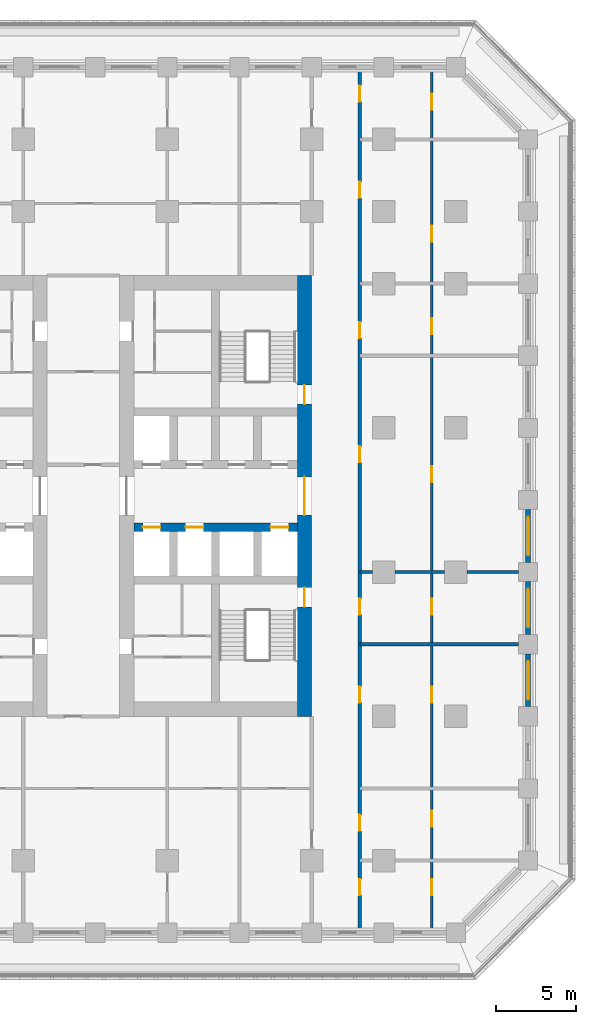
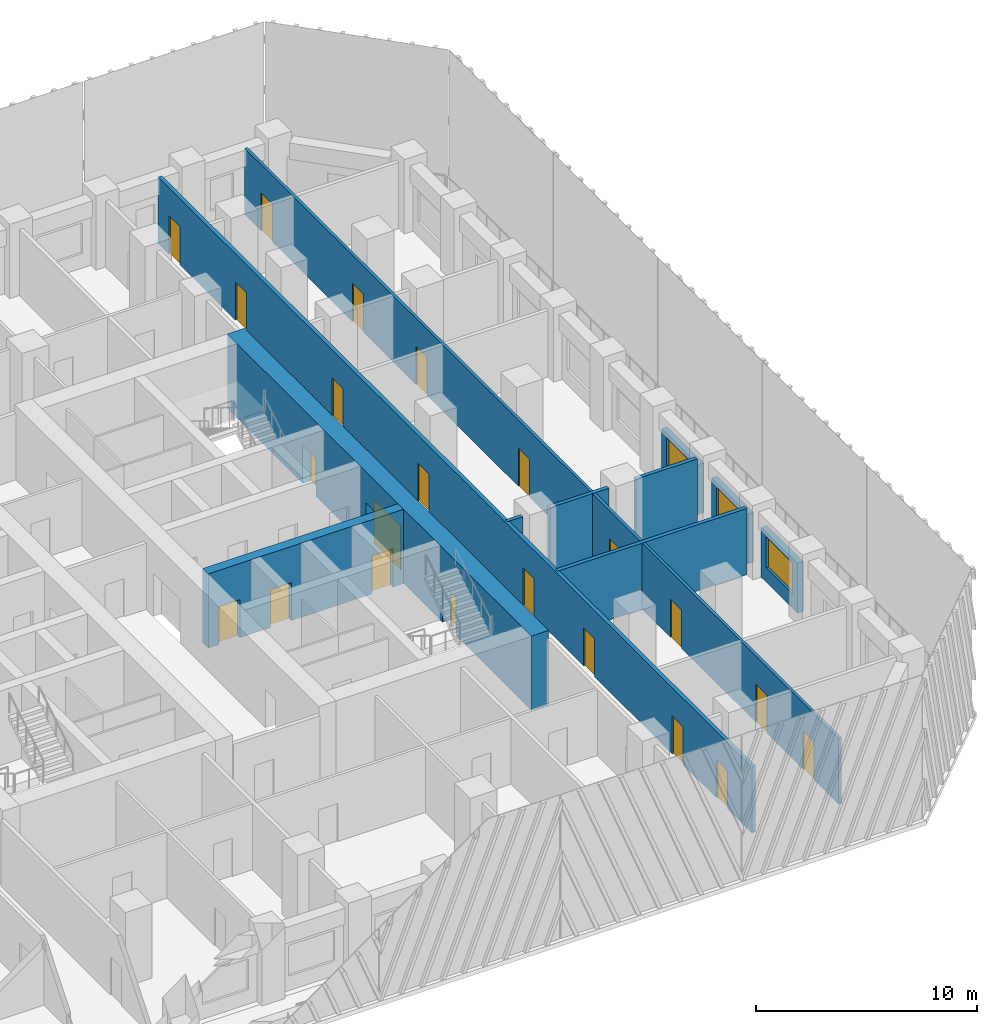
# One storey, part 6 of 20: 22 doors, 11 walls, 3 windows, 25 openings.
"""IFC4 building model written with IfcOpenShell, lengths in metres."""

from ifc_helpers import new_model, si_unit, direction, frame, frame_2d, origin, place, context, subcontext, project, spatial, rectangle, extrude, material, layer, layer_set, type_object, element, fill, save


model = new_model("IFC4")

# Units and contexts
model_context = context("Model", 3, precision=1e-05, world=origin(), true_north=direction((0.0, 1.0)))
body_context = subcontext(model_context, "Body", "Model", "MODEL_VIEW")
ifc_project = project(units=[si_unit("LENGTHUNIT", "METRE"), si_unit("AREAUNIT", "SQUARE_METRE"), si_unit("VOLUMEUNIT", "CUBIC_METRE"), si_unit("PLANEANGLEUNIT", "RADIAN"), si_unit("MASSUNIT", "GRAM", prefix="KILO")], contexts=[model_context])

# Site, building, storey
site_placement = place(None, origin())
site = spatial("IfcSite", under=ifc_project, at=site_placement, CompositionType="ELEMENT")
building_placement = place(site_placement, origin())
building = spatial("IfcBuilding", under=site, at=building_placement, Name="Corbel Stack Research Tower", CompositionType="ELEMENT")
storey_placement = place(building_placement, frame((0.0, 0.0, 98.39990234375)))
storey = spatial("IfcBuildingStorey", under=building, at=storey_placement, Name="L22", CompositionType="ELEMENT", Elevation=98.39990234375)

# Wall, openings, doors
ifc_material_1 = material(Name="Concrete C70/85", Category="concrete")
ifc_layer_1 = layer(ifc_material_1, 0.5)
ifc_layer_set_1 = layer_set([ifc_layer_1], Name="Concrete C70/85")
wall_type_1 = type_object("IfcWallType", Name="CW-500-70", PredefinedType="SHEAR", material=ifc_layer_set_1)
wall_1_placement = place(storey_placement, frame((6.89990234375, 2.800048828125, 0.0), z_axis=(0.0, 0.0, 1.0), x_axis=(1.0, 0.0, 0.0)))
wall_1 = element("IfcWall", 1, at=wall_1_placement, inside=storey, type_object=wall_type_1, Name="East core wall, lobby south L22", PredefinedType="SHEAR", context=body_context, shape_type="SweptSolid", body=[
    extrude(rectangle(XDim=10.2001953125, YDim=0.5, at=frame_2d((5.10009765625, 0.0))), origin(), (0.0, 0.0, 1.0), 4.10009765625),
])
opening_1_placement = place(wall_1_placement, frame((0.5625, 0.0, 0.0)))
opening_1 = element("IfcOpeningElement", 2, at=opening_1_placement, cuts=wall_1, Name="Opening LD-FS2", PredefinedType="OPENING", context=body_context, shape_type="SweptSolid", body=[
    extrude(rectangle(XDim=1.10009765625, YDim=2.10009765625, at=frame_2d((0.550048828125, 1.050048828125))), frame((0.0, 0.260009765625, 0.0), z_axis=(0.0, -1.0, 0.0), x_axis=(1.0, 0.0, 0.0)), (0.0, 0.0, 1.0), 0.52001953125),
])
opening_2_placement = place(wall_1_placement, frame((3.237548828125, 0.0, 0.0)))
opening_2 = element("IfcOpeningElement", 3, at=opening_2_placement, cuts=wall_1, Name="Opening LD-GL2", PredefinedType="OPENING", context=body_context, shape_type="SweptSolid", body=[
    extrude(rectangle(XDim=1.10009765625, YDim=2.10009765625, at=frame_2d((0.550048828125, 1.050048828125))), frame((0.0, 0.260009765625, 0.0), z_axis=(0.0, -1.0, 0.0), x_axis=(1.0, 0.0, 0.0)), (0.0, 0.0, 1.0), 0.52001953125),
])
opening_3_placement = place(wall_1_placement, frame((8.53759765625, 0.0, 0.0)))
opening_3 = element("IfcOpeningElement", 4, at=opening_3_placement, cuts=wall_1, Name="Opening LD-LR3", PredefinedType="OPENING", context=body_context, shape_type="SweptSolid", body=[
    extrude(rectangle(XDim=1.10009765625, YDim=2.10009765625, at=frame_2d((0.550048828125, 1.050048828125))), frame((0.0, 0.260009765625, 0.0), z_axis=(0.0, -1.0, 0.0), x_axis=(1.0, 0.0, 0.0)), (0.0, 0.0, 1.0), 0.52001953125),
])
ifc_material_2 = material(Name="Stainless steel landing door", Category="steel")
door_type_1 = type_object("IfcDoorType", Name="Lift landing door 1100 x 2100", OperationType="DOUBLE_DOOR_SLIDING", PredefinedType="DOOR", material=ifc_material_2)
door_1_placement = place(opening_1_placement, origin())
door_1 = element("IfcDoor", 5, at=door_1_placement, inside=storey, type_object=door_type_1, Name="Landing door FS2", OperationType="DOUBLE_DOOR_SLIDING", OverallHeight=2.10009765625, OverallWidth=1.10009765625, PredefinedType="DOOR", context=body_context, shape_type="SweptSolid", body=[
    extrude(rectangle(XDim=1.10009765625, YDim=2.10009765625, at=frame_2d((0.550048828125, 1.050048828125))), frame((0.0, 0.02490234375, 0.0), z_axis=(0.0, -1.0, 0.0), x_axis=(1.0, 0.0, 0.0)), (0.0, 0.0, 1.0), 0.050048828125),
])
fill(opening_1, door_1)
door_2_placement = place(opening_2_placement, origin())
door_2 = element("IfcDoor", 6, at=door_2_placement, inside=storey, type_object=door_type_1, Name="Landing door GL2", OperationType="DOUBLE_DOOR_SLIDING", OverallHeight=2.10009765625, OverallWidth=1.10009765625, PredefinedType="DOOR", context=body_context, shape_type="SweptSolid", body=[
    extrude(rectangle(XDim=1.10009765625, YDim=2.10009765625, at=frame_2d((0.550048828125, 1.050048828125))), frame((0.0, 0.02490234375, 0.0), z_axis=(0.0, -1.0, 0.0), x_axis=(1.0, 0.0, 0.0)), (0.0, 0.0, 1.0), 0.050048828125),
])
fill(opening_2, door_2)
door_3_placement = place(opening_3_placement, origin())
door_3 = element("IfcDoor", 7, at=door_3_placement, inside=storey, type_object=door_type_1, Name="Landing door LR3", OperationType="DOUBLE_DOOR_SLIDING", OverallHeight=2.10009765625, OverallWidth=1.10009765625, PredefinedType="DOOR", context=body_context, shape_type="SweptSolid", body=[
    extrude(rectangle(XDim=1.10009765625, YDim=2.10009765625, at=frame_2d((0.550048828125, 1.050048828125))), frame((0.0, 0.02490234375, 0.0), z_axis=(0.0, -1.0, 0.0), x_axis=(1.0, 0.0, 0.0)), (0.0, 0.0, 1.0), 0.050048828125),
])
fill(opening_3, door_3)

ifc_material_3 = material(Name="Concrete C70/85", Category="concrete")
ifc_layer_2 = layer(ifc_material_3, 0.89990234375)
ifc_layer_set_2 = layer_set([ifc_layer_2], Name="Concrete C70/85")
wall_type_2 = type_object("IfcWallType", Name="CW-900-70", PredefinedType="SHEAR", material=ifc_layer_set_2)
wall_2_placement = place(storey_placement, frame((17.550048828125, -9.0, 0.0), z_axis=(0.0, 0.0, 1.0), x_axis=(0.0, 1.0, 0.0)))
wall_2 = element("IfcWall", 8, at=wall_2_placement, inside=storey, type_object=wall_type_2, Name="East core wall, east face L22", PredefinedType="SHEAR", context=body_context, shape_type="SweptSolid", body=[
    extrude(rectangle(XDim=27.5, YDim=0.89990234375, at=frame_2d((13.75, 0.0))), origin(), (0.0, 0.0, 1.0), 4.10009765625),
])
opening_4_placement = place(wall_2_placement, frame((12.550048828125, 0.0, 0.0)))
opening_4 = element("IfcOpeningElement", 9, at=opening_4_placement, cuts=wall_2, Name="Opening CD-E-E", PredefinedType="OPENING", context=body_context, shape_type="SweptSolid", body=[
    extrude(rectangle(XDim=2.39990234375, YDim=2.39990234375, at=frame_2d((1.199951171875, 1.199951171875))), frame((0.0, 0.4599609375, 0.0), z_axis=(0.0, -1.0, 0.0), x_axis=(1.0, 0.0, 0.0)), (0.0, 0.0, 1.0), 0.919921875),
])
opening_5_placement = place(wall_2_placement, frame((6.824951171875, 0.0, 0.0)))
opening_5 = element("IfcOpeningElement", 10, at=opening_5_placement, cuts=wall_2, Name="Opening SD-ST-E1", PredefinedType="OPENING", context=body_context, shape_type="SweptSolid", body=[
    extrude(rectangle(XDim=1.199951171875, YDim=2.10009765625, at=frame_2d((0.60009765625, 1.050048828125))), frame((0.0, 0.4599609375, 0.0), z_axis=(0.0, -1.0, 0.0), x_axis=(1.0, 0.0, 0.0)), (0.0, 0.0, 1.0), 0.919921875),
])
opening_6_placement = place(wall_2_placement, frame((19.47509765625, 0.0, 0.0)))
opening_6 = element("IfcOpeningElement", 11, at=opening_6_placement, cuts=wall_2, Name="Opening SD-ST-E2", PredefinedType="OPENING", context=body_context, shape_type="SweptSolid", body=[
    extrude(rectangle(XDim=1.199951171875, YDim=2.10009765625, at=frame_2d((0.60009765625, 1.050048828125))), frame((0.0, 0.4599609375, 0.0), z_axis=(0.0, -1.0, 0.0), x_axis=(1.0, 0.0, 0.0)), (0.0, 0.0, 1.0), 0.919921875),
])
ifc_material_4 = material(Name="Painted steel fire door", Category="steel")
door_type_2 = type_object("IfcDoorType", Name="Lobby door pair 2400 x 2400 FD30S", OperationType="DOUBLE_DOOR_DOUBLE_SWING", PredefinedType="DOOR", material=ifc_material_4)
door_4_placement = place(opening_4_placement, origin())
door_4 = element("IfcDoor", 12, at=door_4_placement, inside=storey, type_object=door_type_2, Name="Lift lobby door E core E", OperationType="DOUBLE_DOOR_DOUBLE_SWING", OverallHeight=2.39990234375, OverallWidth=2.39990234375, PredefinedType="DOOR", context=body_context, shape_type="SweptSolid", body=[
    extrude(rectangle(XDim=2.39990234375, YDim=2.39990234375, at=frame_2d((1.199951171875, 1.199951171875))), frame((0.0, 0.02490234375, 0.0), z_axis=(0.0, -1.0, 0.0), x_axis=(1.0, 0.0, 0.0)), (0.0, 0.0, 1.0), 0.050048828125),
])
fill(opening_4, door_4)
ifc_material_5 = material(Name="Painted steel fire door", Category="steel")
door_type_3 = type_object("IfcDoorType", Name="Stair door 1200 x 2100 FD90 right hand", OperationType="SINGLE_SWING_RIGHT", PredefinedType="DOOR", material=ifc_material_5)
door_5_placement = place(opening_5_placement, frame((1.199951171875, 0.0, 0.0), z_axis=(0.0, 0.0, 1.0), x_axis=(-1.0, 0.0, 0.0)))
door_5 = element("IfcDoor", 13, at=door_5_placement, inside=storey, type_object=door_type_3, Name="Stair door ST-E1", OperationType="SINGLE_SWING_LEFT", OverallHeight=2.10009765625, OverallWidth=1.199951171875, PredefinedType="DOOR", context=body_context, shape_type="SweptSolid", body=[
    extrude(rectangle(XDim=1.199951171875, YDim=2.10009765625, at=frame_2d((0.60009765625, 1.050048828125))), frame((0.0, 0.02490234375, 0.0), z_axis=(0.0, -1.0, 0.0), x_axis=(1.0, 0.0, 0.0)), (0.0, 0.0, 1.0), 0.050048828125),
])
fill(opening_5, door_5)
door_6_placement = place(opening_6_placement, frame((1.199951171875, 0.0, 0.0), z_axis=(0.0, 0.0, 1.0), x_axis=(-1.0, 0.0, 0.0)))
door_6 = element("IfcDoor", 14, at=door_6_placement, inside=storey, type_object=door_type_3, Name="Stair door ST-E2", OperationType="SINGLE_SWING_LEFT", OverallHeight=2.10009765625, OverallWidth=1.199951171875, PredefinedType="DOOR", context=body_context, shape_type="SweptSolid", body=[
    extrude(rectangle(XDim=1.199951171875, YDim=2.10009765625, at=frame_2d((0.60009765625, 1.050048828125))), frame((0.0, 0.02490234375, 0.0), z_axis=(0.0, -1.0, 0.0), x_axis=(1.0, 0.0, 0.0)), (0.0, 0.0, 1.0), 0.050048828125),
])
fill(opening_6, door_6)

ifc_material_6 = material(Name="Fire-rated gypsum board partition on steel studs", Category="steel")
ifc_layer_3 = layer(ifc_material_6, 0.199951171875)
ifc_layer_set_3 = layer_set([ifc_layer_3], Name="Fire-rated gypsum board partition on steel studs")
wall_type_3 = type_object("IfcWallType", Name="Fire-rated partition 200 EI 60", PredefinedType="PARTITIONING", material=ifc_layer_set_3)
wall_3_placement = place(storey_placement, frame((21.0, 31.35009765625, 0.0), z_axis=(0.0, 0.0, 1.0), x_axis=(0.0, -1.0, 0.0)))
wall_3 = element("IfcWall", 15, at=wall_3_placement, inside=storey, type_object=wall_type_3, Name="Partition L22-029", PredefinedType="PARTITIONING", context=body_context, shape_type="SweptSolid", body=[
    extrude(rectangle(XDim=53.7001953125, YDim=0.199951171875, at=frame_2d((26.85009765625, 0.0))), origin(), (0.0, 0.0, 1.0), 3.650146484375),
])
opening_7_placement = place(wall_3_placement, frame((50.5, 0.0, 0.0)))
opening_7 = element("IfcOpeningElement", 16, at=opening_7_placement, cuts=wall_3, Name="Opening B3V2-034", PredefinedType="OPENING", context=body_context, shape_type="SweptSolid", body=[
    extrude(rectangle(XDim=1.0, YDim=2.10009765625, at=frame_2d((0.5, 1.050048828125))), frame((0.0, 0.10986328125, 0.0), z_axis=(0.0, -1.0, 0.0), x_axis=(1.0, 0.0, 0.0)), (0.0, 0.0, 1.0), 0.219970703125),
])
opening_8_placement = place(wall_3_placement, frame((46.5, 0.0, 0.0)))
opening_8 = element("IfcOpeningElement", 17, at=opening_8_placement, cuts=wall_3, Name="Opening B3V2-035", PredefinedType="OPENING", context=body_context, shape_type="SweptSolid", body=[
    extrude(rectangle(XDim=1.0, YDim=2.10009765625, at=frame_2d((0.5, 1.050048828125))), frame((0.0, 0.10986328125, 0.0), z_axis=(0.0, -1.0, 0.0), x_axis=(1.0, 0.0, 0.0)), (0.0, 0.0, 1.0), 0.219970703125),
])
opening_9_placement = place(wall_3_placement, frame((38.5, 0.0, 0.0)))
opening_9 = element("IfcOpeningElement", 18, at=opening_9_placement, cuts=wall_3, Name="Opening B3V2-036", PredefinedType="OPENING", context=body_context, shape_type="SweptSolid", body=[
    extrude(rectangle(XDim=1.0, YDim=2.10009765625, at=frame_2d((0.5, 1.050048828125))), frame((0.0, 0.10986328125, 0.0), z_axis=(0.0, -1.0, 0.0), x_axis=(1.0, 0.0, 0.0)), (0.0, 0.0, 1.0), 0.219970703125),
])
opening_10_placement = place(wall_3_placement, frame((33.0, 0.0, 0.0)))
opening_10 = element("IfcOpeningElement", 19, at=opening_10_placement, cuts=wall_3, Name="Opening B3V2-037", PredefinedType="OPENING", context=body_context, shape_type="SweptSolid", body=[
    extrude(rectangle(XDim=1.0, YDim=2.10009765625, at=frame_2d((0.5, 1.050048828125))), frame((0.0, 0.10986328125, 0.0), z_axis=(0.0, -1.0, 0.0), x_axis=(1.0, 0.0, 0.0)), (0.0, 0.0, 1.0), 0.219970703125),
])
opening_11_placement = place(wall_3_placement, frame((23.5, 0.0, 0.0)))
opening_11 = element("IfcOpeningElement", 20, at=opening_11_placement, cuts=wall_3, Name="Opening B3V2-038", PredefinedType="OPENING", context=body_context, shape_type="SweptSolid", body=[
    extrude(rectangle(XDim=1.0, YDim=2.10009765625, at=frame_2d((0.5, 1.050048828125))), frame((0.0, 0.10986328125, 0.0), z_axis=(0.0, -1.0, 0.0), x_axis=(1.0, 0.0, 0.0)), (0.0, 0.0, 1.0), 0.219970703125),
])
opening_12_placement = place(wall_3_placement, frame((15.75, 0.0, 0.0)))
opening_12 = element("IfcOpeningElement", 21, at=opening_12_placement, cuts=wall_3, Name="Opening B3V2-039", PredefinedType="OPENING", context=body_context, shape_type="SweptSolid", body=[
    extrude(rectangle(XDim=1.0, YDim=2.10009765625, at=frame_2d((0.5, 1.050048828125))), frame((0.0, 0.10986328125, 0.0), z_axis=(0.0, -1.0, 0.0), x_axis=(1.0, 0.0, 0.0)), (0.0, 0.0, 1.0), 0.219970703125),
])
opening_13_placement = place(wall_3_placement, frame((7.0, 0.0, 0.0)))
opening_13 = element("IfcOpeningElement", 22, at=opening_13_placement, cuts=wall_3, Name="Opening B3V2-040", PredefinedType="OPENING", context=body_context, shape_type="SweptSolid", body=[
    extrude(rectangle(XDim=1.0, YDim=2.10009765625, at=frame_2d((0.5, 1.050048828125))), frame((0.0, 0.10986328125, 0.0), z_axis=(0.0, -1.0, 0.0), x_axis=(1.0, 0.0, 0.0)), (0.0, 0.0, 1.0), 0.219970703125),
])
opening_14_placement = place(wall_3_placement, frame((1.0, 0.0, 0.0)))
opening_14 = element("IfcOpeningElement", 23, at=opening_14_placement, cuts=wall_3, Name="Opening B3V2-041", PredefinedType="OPENING", context=body_context, shape_type="SweptSolid", body=[
    extrude(rectangle(XDim=1.0, YDim=2.10009765625, at=frame_2d((0.5, 1.050048828125))), frame((0.0, 0.10986328125, 0.0), z_axis=(0.0, -1.0, 0.0), x_axis=(1.0, 0.0, 0.0)), (0.0, 0.0, 1.0), 0.219970703125),
])
ifc_material_7 = material(Name="Painted steel fire door", Category="steel")
door_type_4 = type_object("IfcDoorType", Name="Fire door FD30S 1000 x 2100", OperationType="NOTDEFINED", PredefinedType="DOOR", material=ifc_material_7)
door_7_placement = place(opening_7_placement, origin())
door_7 = element("IfcDoor", 24, at=door_7_placement, inside=storey, type_object=door_type_4, Name="Door B3V2-034", OperationType="SINGLE_SWING_RIGHT", OverallHeight=2.10009765625, OverallWidth=1.0, PredefinedType="DOOR", context=body_context, shape_type="SweptSolid", body=[
    extrude(rectangle(XDim=1.0, YDim=2.10009765625, at=frame_2d((0.5, 1.050048828125))), frame((0.0, 0.02490234375, 0.0), z_axis=(0.0, -1.0, 0.0), x_axis=(1.0, 0.0, 0.0)), (0.0, 0.0, 1.0), 0.050048828125),
])
fill(opening_7, door_7)
door_8_placement = place(opening_8_placement, origin())
door_8 = element("IfcDoor", 25, at=door_8_placement, inside=storey, type_object=door_type_4, Name="Door B3V2-035", OperationType="SINGLE_SWING_RIGHT", OverallHeight=2.10009765625, OverallWidth=1.0, PredefinedType="DOOR", context=body_context, shape_type="SweptSolid", body=[
    extrude(rectangle(XDim=1.0, YDim=2.10009765625, at=frame_2d((0.5, 1.050048828125))), frame((0.0, 0.02490234375, 0.0), z_axis=(0.0, -1.0, 0.0), x_axis=(1.0, 0.0, 0.0)), (0.0, 0.0, 1.0), 0.050048828125),
])
fill(opening_8, door_8)
door_9_placement = place(opening_9_placement, origin())
door_9 = element("IfcDoor", 26, at=door_9_placement, inside=storey, type_object=door_type_4, Name="Door B3V2-036", OperationType="SINGLE_SWING_RIGHT", OverallHeight=2.10009765625, OverallWidth=1.0, PredefinedType="DOOR", context=body_context, shape_type="SweptSolid", body=[
    extrude(rectangle(XDim=1.0, YDim=2.10009765625, at=frame_2d((0.5, 1.050048828125))), frame((0.0, 0.02490234375, 0.0), z_axis=(0.0, -1.0, 0.0), x_axis=(1.0, 0.0, 0.0)), (0.0, 0.0, 1.0), 0.050048828125),
])
fill(opening_9, door_9)
door_10_placement = place(opening_10_placement, origin())
door_10 = element("IfcDoor", 27, at=door_10_placement, inside=storey, type_object=door_type_4, Name="Door B3V2-037", OperationType="SINGLE_SWING_RIGHT", OverallHeight=2.10009765625, OverallWidth=1.0, PredefinedType="DOOR", context=body_context, shape_type="SweptSolid", body=[
    extrude(rectangle(XDim=1.0, YDim=2.10009765625, at=frame_2d((0.5, 1.050048828125))), frame((0.0, 0.02490234375, 0.0), z_axis=(0.0, -1.0, 0.0), x_axis=(1.0, 0.0, 0.0)), (0.0, 0.0, 1.0), 0.050048828125),
])
fill(opening_10, door_10)
door_11_placement = place(opening_11_placement, origin())
door_11 = element("IfcDoor", 28, at=door_11_placement, inside=storey, type_object=door_type_4, Name="Door B3V2-038", OperationType="SINGLE_SWING_LEFT", OverallHeight=2.10009765625, OverallWidth=1.0, PredefinedType="DOOR", context=body_context, shape_type="SweptSolid", body=[
    extrude(rectangle(XDim=1.0, YDim=2.10009765625, at=frame_2d((0.5, 1.050048828125))), frame((0.0, 0.02490234375, 0.0), z_axis=(0.0, -1.0, 0.0), x_axis=(1.0, 0.0, 0.0)), (0.0, 0.0, 1.0), 0.050048828125),
])
fill(opening_11, door_11)
door_12_placement = place(opening_12_placement, origin())
door_12 = element("IfcDoor", 29, at=door_12_placement, inside=storey, type_object=door_type_4, Name="Door B3V2-039", OperationType="SINGLE_SWING_LEFT", OverallHeight=2.10009765625, OverallWidth=1.0, PredefinedType="DOOR", context=body_context, shape_type="SweptSolid", body=[
    extrude(rectangle(XDim=1.0, YDim=2.10009765625, at=frame_2d((0.5, 1.050048828125))), frame((0.0, 0.02490234375, 0.0), z_axis=(0.0, -1.0, 0.0), x_axis=(1.0, 0.0, 0.0)), (0.0, 0.0, 1.0), 0.050048828125),
])
fill(opening_12, door_12)
door_13_placement = place(opening_13_placement, origin())
door_13 = element("IfcDoor", 30, at=door_13_placement, inside=storey, type_object=door_type_4, Name="Door B3V2-040", OperationType="SINGLE_SWING_LEFT", OverallHeight=2.10009765625, OverallWidth=1.0, PredefinedType="DOOR", context=body_context, shape_type="SweptSolid", body=[
    extrude(rectangle(XDim=1.0, YDim=2.10009765625, at=frame_2d((0.5, 1.050048828125))), frame((0.0, 0.02490234375, 0.0), z_axis=(0.0, -1.0, 0.0), x_axis=(1.0, 0.0, 0.0)), (0.0, 0.0, 1.0), 0.050048828125),
])
fill(opening_13, door_13)
door_14_placement = place(opening_14_placement, origin())
door_14 = element("IfcDoor", 31, at=door_14_placement, inside=storey, type_object=door_type_4, Name="Door B3V2-041", OperationType="SINGLE_SWING_LEFT", OverallHeight=2.10009765625, OverallWidth=1.0, PredefinedType="DOOR", context=body_context, shape_type="SweptSolid", body=[
    extrude(rectangle(XDim=1.0, YDim=2.10009765625, at=frame_2d((0.5, 1.050048828125))), frame((0.0, 0.02490234375, 0.0), z_axis=(0.0, -1.0, 0.0), x_axis=(1.0, 0.0, 0.0)), (0.0, 0.0, 1.0), 0.050048828125),
])
fill(opening_14, door_14)

# Walls
wall_4_placement = place(storey_placement, frame((21.0, -4.5, 0.0), z_axis=(0.0, 0.0, 1.0), x_axis=(1.0, 0.0, 0.0)))
element("IfcWall", 32, at=wall_4_placement, inside=storey, type_object=wall_type_3, Name="Partition L22-039", PredefinedType="PARTITIONING", context=body_context, shape_type="SweptSolid", body=[
    extrude(rectangle(XDim=9.89990234375, YDim=0.199951171875, at=frame_2d((4.949951171875, 0.0))), origin(), (0.0, 0.0, 1.0), 3.650146484375),
])
wall_5_placement = place(storey_placement, frame((21.0, 0.0, 0.0), z_axis=(0.0, 0.0, 1.0), x_axis=(1.0, 0.0, 0.0)))
element("IfcWall", 33, at=wall_5_placement, inside=storey, type_object=wall_type_3, Name="Partition L22-042", PredefinedType="PARTITIONING", context=body_context, shape_type="SweptSolid", body=[
    extrude(rectangle(XDim=0.800048828125, YDim=0.199951171875, at=frame_2d((0.39990234375, 0.0))), origin(), (0.0, 0.0, 1.0), 3.650146484375),
])
wall_6_placement = place(storey_placement, frame((23.199951171875, 0.0, 0.0), z_axis=(0.0, 0.0, 1.0), x_axis=(1.0, 0.0, 0.0)))
element("IfcWall", 34, at=wall_6_placement, inside=storey, type_object=wall_type_3, Name="Partition L22-043", PredefinedType="PARTITIONING", context=body_context, shape_type="SweptSolid", body=[
    extrude(rectangle(XDim=3.10009765625, YDim=0.199951171875, at=frame_2d((1.550048828125, 0.0))), origin(), (0.0, 0.0, 1.0), 3.650146484375),
])
wall_7_placement = place(storey_placement, frame((27.699951171875, 0.0, 0.0), z_axis=(0.0, 0.0, 1.0), x_axis=(1.0, 0.0, 0.0)))
element("IfcWall", 35, at=wall_7_placement, inside=storey, type_object=wall_type_3, Name="Partition L22-044", PredefinedType="PARTITIONING", context=body_context, shape_type="SweptSolid", body=[
    extrude(rectangle(XDim=3.199951171875, YDim=0.199951171875, at=frame_2d((1.60009765625, 0.0))), origin(), (0.0, 0.0, 1.0), 3.650146484375),
])

# Wall, openings, doors
ifc_material_8 = material(Name="Gypsum board partition on steel studs", Category="steel")
ifc_layer_4 = layer(ifc_material_8, 0.14990234375)
ifc_layer_set_4 = layer_set([ifc_layer_4], Name="Gypsum board partition on steel studs")
wall_type_4 = type_object("IfcWallType", Name="Partition 150", PredefinedType="PARTITIONING", material=ifc_layer_set_4)
wall_8_placement = place(storey_placement, frame((25.5, 31.35009765625, 0.0), z_axis=(0.0, 0.0, 1.0), x_axis=(0.0, -1.0, 0.0)))
wall_8 = element("IfcWall", 36, at=wall_8_placement, inside=storey, type_object=wall_type_4, Name="Partition L22-030", PredefinedType="PARTITIONING", context=body_context, shape_type="SweptSolid", body=[
    extrude(rectangle(XDim=53.7001953125, YDim=0.14990234375, at=frame_2d((26.85009765625, 0.0))), origin(), (0.0, 0.0, 1.0), 3.650146484375),
])
opening_15_placement = place(wall_8_placement, frame((50.5, 0.0, 0.0)))
opening_15 = element("IfcOpeningElement", 37, at=opening_15_placement, cuts=wall_8, Name="Opening B3V2-047", PredefinedType="OPENING", context=body_context, shape_type="SweptSolid", body=[
    extrude(rectangle(XDim=1.0, YDim=2.10009765625, at=frame_2d((0.5, 1.050048828125))), frame((0.0, 0.0849609375, 0.0), z_axis=(0.0, -1.0, 0.0), x_axis=(1.0, 0.0, 0.0)), (0.0, 0.0, 1.0), 0.169921875),
])
opening_16_placement = place(wall_8_placement, frame((46.25, 0.0, 0.0)))
opening_16 = element("IfcOpeningElement", 38, at=opening_16_placement, cuts=wall_8, Name="Opening B3V2-048", PredefinedType="OPENING", context=body_context, shape_type="SweptSolid", body=[
    extrude(rectangle(XDim=1.0, YDim=2.10009765625, at=frame_2d((0.5, 1.050048828125))), frame((0.0, 0.0849609375, 0.0), z_axis=(0.0, -1.0, 0.0), x_axis=(1.0, 0.0, 0.0)), (0.0, 0.0, 1.0), 0.169921875),
])
opening_17_placement = place(wall_8_placement, frame((38.5, 0.0, 0.0)))
opening_17 = element("IfcOpeningElement", 39, at=opening_17_placement, cuts=wall_8, Name="Opening B3V2-049", PredefinedType="OPENING", context=body_context, shape_type="SweptSolid", body=[
    extrude(rectangle(XDim=1.0, YDim=2.10009765625, at=frame_2d((0.5, 1.050048828125))), frame((0.0, 0.0849609375, 0.0), z_axis=(0.0, -1.0, 0.0), x_axis=(1.0, 0.0, 0.0)), (0.0, 0.0, 1.0), 0.169921875),
])
opening_18_placement = place(wall_8_placement, frame((33.0, 0.0, 0.0)))
opening_18 = element("IfcOpeningElement", 40, at=opening_18_placement, cuts=wall_8, Name="Opening B3V2-050", PredefinedType="OPENING", context=body_context, shape_type="SweptSolid", body=[
    extrude(rectangle(XDim=1.0, YDim=2.10009765625, at=frame_2d((0.5, 1.050048828125))), frame((0.0, 0.0849609375, 0.0), z_axis=(0.0, -1.0, 0.0), x_axis=(1.0, 0.0, 0.0)), (0.0, 0.0, 1.0), 0.169921875),
])
opening_19_placement = place(wall_8_placement, frame((24.75, 0.0, 0.0)))
opening_19 = element("IfcOpeningElement", 41, at=opening_19_placement, cuts=wall_8, Name="Opening B3V2-051", PredefinedType="OPENING", context=body_context, shape_type="SweptSolid", body=[
    extrude(rectangle(XDim=1.0, YDim=2.10009765625, at=frame_2d((0.5, 1.050048828125))), frame((0.0, 0.0849609375, 0.0), z_axis=(0.0, -1.0, 0.0), x_axis=(1.0, 0.0, 0.0)), (0.0, 0.0, 1.0), 0.169921875),
])
opening_20_placement = place(wall_8_placement, frame((15.5, 0.0, 0.0)))
opening_20 = element("IfcOpeningElement", 42, at=opening_20_placement, cuts=wall_8, Name="Opening B3V2-052", PredefinedType="OPENING", context=body_context, shape_type="SweptSolid", body=[
    extrude(rectangle(XDim=1.0, YDim=2.10009765625, at=frame_2d((0.5, 1.050048828125))), frame((0.0, 0.0849609375, 0.0), z_axis=(0.0, -1.0, 0.0), x_axis=(1.0, 0.0, 0.0)), (0.0, 0.0, 1.0), 0.169921875),
])
opening_21_placement = place(wall_8_placement, frame((9.75, 0.0, 0.0)))
opening_21 = element("IfcOpeningElement", 43, at=opening_21_placement, cuts=wall_8, Name="Opening B3V2-053", PredefinedType="OPENING", context=body_context, shape_type="SweptSolid", body=[
    extrude(rectangle(XDim=1.0, YDim=2.10009765625, at=frame_2d((0.5, 1.050048828125))), frame((0.0, 0.0849609375, 0.0), z_axis=(0.0, -1.0, 0.0), x_axis=(1.0, 0.0, 0.0)), (0.0, 0.0, 1.0), 0.169921875),
])
opening_22_placement = place(wall_8_placement, frame((1.5, 0.0, 0.0)))
opening_22 = element("IfcOpeningElement", 44, at=opening_22_placement, cuts=wall_8, Name="Opening B3V2-054", PredefinedType="OPENING", context=body_context, shape_type="SweptSolid", body=[
    extrude(rectangle(XDim=1.0, YDim=2.10009765625, at=frame_2d((0.5, 1.050048828125))), frame((0.0, 0.0849609375, 0.0), z_axis=(0.0, -1.0, 0.0), x_axis=(1.0, 0.0, 0.0)), (0.0, 0.0, 1.0), 0.169921875),
])
ifc_material_9 = material(Name="Painted timber door", Category="wood")
door_type_5 = type_object("IfcDoorType", Name="Single door 1000 x 2100", OperationType="NOTDEFINED", PredefinedType="DOOR", material=ifc_material_9)
door_15_placement = place(opening_15_placement, origin())
door_15 = element("IfcDoor", 45, at=door_15_placement, inside=storey, type_object=door_type_5, Name="Door B3V2-047", OperationType="SINGLE_SWING_RIGHT", OverallHeight=2.10009765625, OverallWidth=1.0, PredefinedType="DOOR", context=body_context, shape_type="SweptSolid", body=[
    extrude(rectangle(XDim=1.0, YDim=2.10009765625, at=frame_2d((0.5, 1.050048828125))), frame((0.0, 0.02490234375, 0.0), z_axis=(0.0, -1.0, 0.0), x_axis=(1.0, 0.0, 0.0)), (0.0, 0.0, 1.0), 0.050048828125),
])
fill(opening_15, door_15)
door_16_placement = place(opening_16_placement, origin())
door_16 = element("IfcDoor", 46, at=door_16_placement, inside=storey, type_object=door_type_5, Name="Door B3V2-048", OperationType="SINGLE_SWING_RIGHT", OverallHeight=2.10009765625, OverallWidth=1.0, PredefinedType="DOOR", context=body_context, shape_type="SweptSolid", body=[
    extrude(rectangle(XDim=1.0, YDim=2.10009765625, at=frame_2d((0.5, 1.050048828125))), frame((0.0, 0.02490234375, 0.0), z_axis=(0.0, -1.0, 0.0), x_axis=(1.0, 0.0, 0.0)), (0.0, 0.0, 1.0), 0.050048828125),
])
fill(opening_16, door_16)
door_17_placement = place(opening_17_placement, origin())
door_17 = element("IfcDoor", 47, at=door_17_placement, inside=storey, type_object=door_type_5, Name="Door B3V2-049", OperationType="SINGLE_SWING_RIGHT", OverallHeight=2.10009765625, OverallWidth=1.0, PredefinedType="DOOR", context=body_context, shape_type="SweptSolid", body=[
    extrude(rectangle(XDim=1.0, YDim=2.10009765625, at=frame_2d((0.5, 1.050048828125))), frame((0.0, 0.02490234375, 0.0), z_axis=(0.0, -1.0, 0.0), x_axis=(1.0, 0.0, 0.0)), (0.0, 0.0, 1.0), 0.050048828125),
])
fill(opening_17, door_17)
door_18_placement = place(opening_18_placement, origin())
door_18 = element("IfcDoor", 48, at=door_18_placement, inside=storey, type_object=door_type_5, Name="Door B3V2-050", OperationType="SINGLE_SWING_RIGHT", OverallHeight=2.10009765625, OverallWidth=1.0, PredefinedType="DOOR", context=body_context, shape_type="SweptSolid", body=[
    extrude(rectangle(XDim=1.0, YDim=2.10009765625, at=frame_2d((0.5, 1.050048828125))), frame((0.0, 0.02490234375, 0.0), z_axis=(0.0, -1.0, 0.0), x_axis=(1.0, 0.0, 0.0)), (0.0, 0.0, 1.0), 0.050048828125),
])
fill(opening_18, door_18)
door_19_placement = place(opening_19_placement, origin())
door_19 = element("IfcDoor", 49, at=door_19_placement, inside=storey, type_object=door_type_5, Name="Door B3V2-051", OperationType="SINGLE_SWING_LEFT", OverallHeight=2.10009765625, OverallWidth=1.0, PredefinedType="DOOR", context=body_context, shape_type="SweptSolid", body=[
    extrude(rectangle(XDim=1.0, YDim=2.10009765625, at=frame_2d((0.5, 1.050048828125))), frame((0.0, 0.02490234375, 0.0), z_axis=(0.0, -1.0, 0.0), x_axis=(1.0, 0.0, 0.0)), (0.0, 0.0, 1.0), 0.050048828125),
])
fill(opening_19, door_19)
door_20_placement = place(opening_20_placement, origin())
door_20 = element("IfcDoor", 50, at=door_20_placement, inside=storey, type_object=door_type_5, Name="Door B3V2-052", OperationType="SINGLE_SWING_LEFT", OverallHeight=2.10009765625, OverallWidth=1.0, PredefinedType="DOOR", context=body_context, shape_type="SweptSolid", body=[
    extrude(rectangle(XDim=1.0, YDim=2.10009765625, at=frame_2d((0.5, 1.050048828125))), frame((0.0, 0.02490234375, 0.0), z_axis=(0.0, -1.0, 0.0), x_axis=(1.0, 0.0, 0.0)), (0.0, 0.0, 1.0), 0.050048828125),
])
fill(opening_20, door_20)
door_21_placement = place(opening_21_placement, origin())
door_21 = element("IfcDoor", 51, at=door_21_placement, inside=storey, type_object=door_type_5, Name="Door B3V2-053", OperationType="SINGLE_SWING_LEFT", OverallHeight=2.10009765625, OverallWidth=1.0, PredefinedType="DOOR", context=body_context, shape_type="SweptSolid", body=[
    extrude(rectangle(XDim=1.0, YDim=2.10009765625, at=frame_2d((0.5, 1.050048828125))), frame((0.0, 0.02490234375, 0.0), z_axis=(0.0, -1.0, 0.0), x_axis=(1.0, 0.0, 0.0)), (0.0, 0.0, 1.0), 0.050048828125),
])
fill(opening_21, door_21)
door_22_placement = place(opening_22_placement, origin())
door_22 = element("IfcDoor", 52, at=door_22_placement, inside=storey, type_object=door_type_5, Name="Door B3V2-054", OperationType="SINGLE_SWING_LEFT", OverallHeight=2.10009765625, OverallWidth=1.0, PredefinedType="DOOR", context=body_context, shape_type="SweptSolid", body=[
    extrude(rectangle(XDim=1.0, YDim=2.10009765625, at=frame_2d((0.5, 1.050048828125))), frame((0.0, 0.02490234375, 0.0), z_axis=(0.0, -1.0, 0.0), x_axis=(1.0, 0.0, 0.0)), (0.0, 0.0, 1.0), 0.050048828125),
])
fill(opening_22, door_22)

# Wall, opening, window
ifc_material_10 = material(Name="Concrete C45/55", Category="concrete")
ifc_layer_5 = layer(ifc_material_10, 0.300048828125)
ifc_layer_set_5 = layer_set([ifc_layer_5], Name="Concrete C45/55")
wall_type_5 = type_object("IfcWallType", Name="Terracotta-faced concrete wall 300", PredefinedType="SOLIDWALL", material=ifc_layer_set_5)
wall_9_placement = place(storey_placement, frame((31.5, -5.10009765625, 0.0), z_axis=(0.0, 0.0, 1.0), x_axis=(0.0, -1.0, 0.0)))
wall_9 = element("IfcWall", 53, at=wall_9_placement, inside=storey, type_object=wall_type_5, Name="Facade wall L22 E03", PredefinedType="SOLIDWALL", context=body_context, shape_type="SweptSolid", body=[
    extrude(rectangle(XDim=3.2998046875, YDim=0.300048828125, at=frame_2d((1.64990234375, 0.0))), origin(), (0.0, 0.0, 1.0), 2.75),
])
opening_23_placement = place(wall_9_placement, frame((0.449951171875, 0.0, 0.800048828125)))
opening_23 = element("IfcOpeningElement", 54, at=opening_23_placement, cuts=wall_9, Name="Opening W1", PredefinedType="OPENING", context=body_context, shape_type="SweptSolid", body=[
    extrude(rectangle(XDim=2.39990234375, YDim=1.699951171875, at=frame_2d((1.199951171875, 0.85009765625))), frame((0.0, 0.159912109375, 0.0), z_axis=(0.0, -1.0, 0.0), x_axis=(1.0, 0.0, 0.0)), (0.0, 0.0, 1.0), 0.320068359375),
])
ifc_material_11 = material(Name="Aluminium frame, clear double glazing", Category="aluminium")
window_type = type_object("IfcWindowType", Name="Window W1 2400 x 1700", PartitioningType="SINGLE_PANEL", PredefinedType="WINDOW", material=ifc_material_11)
window_1_placement = place(opening_23_placement, origin())
window_1 = element("IfcWindow", 55, at=window_1_placement, inside=storey, type_object=window_type, Name="Window W1 L22 E03", OverallHeight=1.699951171875, OverallWidth=2.39990234375, PartitioningType="SINGLE_PANEL", PredefinedType="WINDOW", context=body_context, shape_type="SweptSolid", body=[
    extrude(rectangle(XDim=2.39990234375, YDim=1.699951171875, at=frame_2d((1.199951171875, 0.85009765625))), frame((0.0, 0.030029296875, 0.0), z_axis=(0.0, -1.0, 0.0), x_axis=(1.0, 0.0, 0.0)), (0.0, 0.0, 1.0), 0.06005859375),
])
fill(opening_23, window_1)

wall_10_placement = place(storey_placement, frame((31.5, -0.60009765625, 0.0), z_axis=(0.0, 0.0, 1.0), x_axis=(0.0, -1.0, 0.0)))
wall_10 = element("IfcWall", 56, at=wall_10_placement, inside=storey, type_object=wall_type_5, Name="Facade wall L22 E04", PredefinedType="SOLIDWALL", context=body_context, shape_type="SweptSolid", body=[
    extrude(rectangle(XDim=3.2998046875, YDim=0.300048828125, at=frame_2d((1.64990234375, 0.0))), origin(), (0.0, 0.0, 1.0), 2.75),
])
opening_24_placement = place(wall_10_placement, frame((0.449951171875, 0.0, 0.800048828125)))
opening_24 = element("IfcOpeningElement", 57, at=opening_24_placement, cuts=wall_10, Name="Opening W1", PredefinedType="OPENING", context=body_context, shape_type="SweptSolid", body=[
    extrude(rectangle(XDim=2.39990234375, YDim=1.699951171875, at=frame_2d((1.199951171875, 0.85009765625))), frame((0.0, 0.159912109375, 0.0), z_axis=(0.0, -1.0, 0.0), x_axis=(1.0, 0.0, 0.0)), (0.0, 0.0, 1.0), 0.320068359375),
])
window_2_placement = place(opening_24_placement, origin())
window_2 = element("IfcWindow", 58, at=window_2_placement, inside=storey, type_object=window_type, Name="Window W1 L22 E04", OverallHeight=1.699951171875, OverallWidth=2.39990234375, PartitioningType="SINGLE_PANEL", PredefinedType="WINDOW", context=body_context, shape_type="SweptSolid", body=[
    extrude(rectangle(XDim=2.39990234375, YDim=1.699951171875, at=frame_2d((1.199951171875, 0.85009765625))), frame((0.0, 0.030029296875, 0.0), z_axis=(0.0, -1.0, 0.0), x_axis=(1.0, 0.0, 0.0)), (0.0, 0.0, 1.0), 0.06005859375),
])
fill(opening_24, window_2)

wall_11_placement = place(storey_placement, frame((31.5, 3.89990234375, 0.0), z_axis=(0.0, 0.0, 1.0), x_axis=(0.0, -1.0, 0.0)))
wall_11 = element("IfcWall", 59, at=wall_11_placement, inside=storey, type_object=wall_type_5, Name="Facade wall L22 E05", PredefinedType="SOLIDWALL", context=body_context, shape_type="SweptSolid", body=[
    extrude(rectangle(XDim=3.2998046875, YDim=0.300048828125, at=frame_2d((1.64990234375, 0.0))), origin(), (0.0, 0.0, 1.0), 2.75),
])
opening_25_placement = place(wall_11_placement, frame((0.449951171875, 0.0, 0.800048828125)))
opening_25 = element("IfcOpeningElement", 60, at=opening_25_placement, cuts=wall_11, Name="Opening W1", PredefinedType="OPENING", context=body_context, shape_type="SweptSolid", body=[
    extrude(rectangle(XDim=2.39990234375, YDim=1.699951171875, at=frame_2d((1.199951171875, 0.85009765625))), frame((0.0, 0.159912109375, 0.0), z_axis=(0.0, -1.0, 0.0), x_axis=(1.0, 0.0, 0.0)), (0.0, 0.0, 1.0), 0.320068359375),
])
window_3_placement = place(opening_25_placement, origin())
window_3 = element("IfcWindow", 61, at=window_3_placement, inside=storey, type_object=window_type, Name="Window W1 L22 E05", OverallHeight=1.699951171875, OverallWidth=2.39990234375, PartitioningType="SINGLE_PANEL", PredefinedType="WINDOW", context=body_context, shape_type="SweptSolid", body=[
    extrude(rectangle(XDim=2.39990234375, YDim=1.699951171875, at=frame_2d((1.199951171875, 0.85009765625))), frame((0.0, 0.030029296875, 0.0), z_axis=(0.0, -1.0, 0.0), x_axis=(1.0, 0.0, 0.0)), (0.0, 0.0, 1.0), 0.06005859375),
])
fill(opening_25, window_3)

save(model, "model.ifc")
